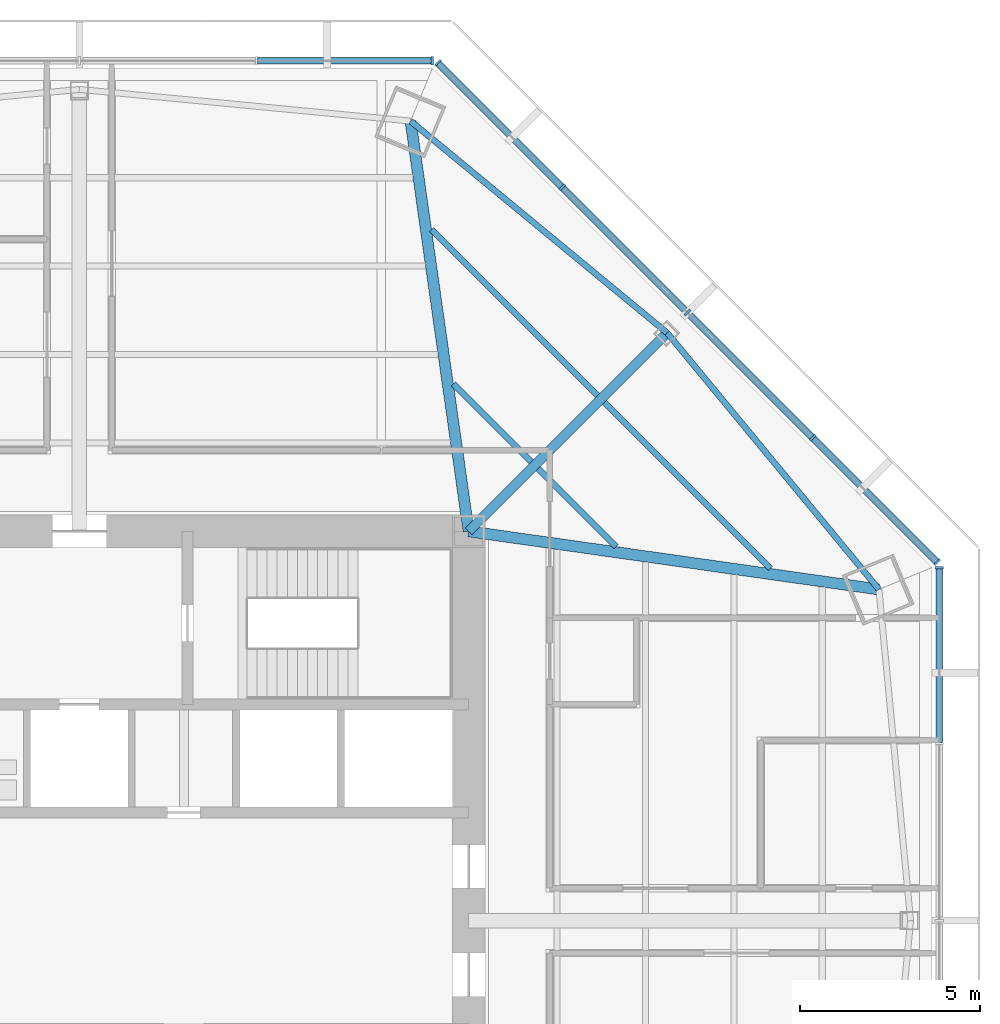
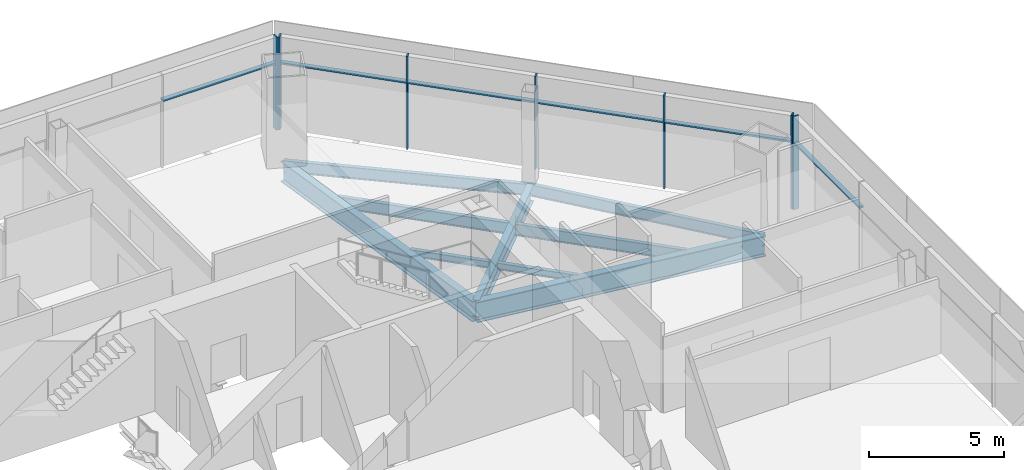
# One storey, part 6 of 14: 13 members, 9 beams, 3 elements without a shape of their own.
"""IFC4 building model written with IfcOpenShell, lengths in metres."""

from ifc_helpers import new_model, si_unit, direction, frame, origin, origin_2d, place, context, subcontext, project, spatial, rectangle, i_section, extrude, source, transform, mapped, material, material_profile, profile_set, type_object, type_shapes, element, aggregate, save


model = new_model("IFC4")

# Units and contexts
model_context = context("Model", 3, precision=1e-05, world=origin(), true_north=direction((0.0, 1.0)))
body_context = subcontext(model_context, "Body", "Model", "MODEL_VIEW")
ifc_project = project(units=[si_unit("LENGTHUNIT", "METRE"), si_unit("AREAUNIT", "SQUARE_METRE"), si_unit("VOLUMEUNIT", "CUBIC_METRE"), si_unit("PLANEANGLEUNIT", "RADIAN"), si_unit("MASSUNIT", "GRAM", prefix="KILO")], contexts=[model_context])

# Site, building, storey
site_placement = place(None, origin())
site = spatial("IfcSite", under=ifc_project, at=site_placement, CompositionType="ELEMENT")
building_placement = place(site_placement, origin())
building = spatial("IfcBuilding", under=site, at=building_placement, Name="Mashrafa Tower", CompositionType="ELEMENT")
storey_placement = place(building_placement, frame((0.0, 0.0, 147.0)))
storey = spatial("IfcBuildingStorey", under=building, at=storey_placement, Name="L33", CompositionType="ELEMENT", Elevation=147.0)

# Beams
ifc_material_1 = material(Name="Steel ASTM A992", Category="steel")
ifc_material_profile_1 = material_profile(ifc_material_1, i_section(OverallWidth=0.164794921875, OverallDepth=0.309814453125, WebThickness=0.005859375, FlangeThickness=0.009765625, FilletRadius=0.007568359375, at=origin_2d()), Name="W12X26")
ifc_profile_set_1 = profile_set([ifc_material_profile_1], Name="Steel ASTM A992")
beam_type_1 = type_object("IfcBeamType", Name="Beam W12X26", PredefinedType="BEAM", material=ifc_profile_set_1)
for number, where, z_axis, x_axis, name in (
    (1, (10.375244140625, 14.895751953125, -0.31982421875), (0.707106781187, -0.707106781187, 0.0), (0.707106781187, 0.707106781187, 0.0), "Floor beam L33 033"),
    (2, (12.729736328125, 12.541259765625, -0.31982421875), (0.707106781187, -0.707106781187, 0.0), (0.707106781187, 0.707106781187, 0.0), "Floor beam L33 036"),
):
    element("IfcBeam", number, at=place(storey_placement, frame(where, z_axis=z_axis, x_axis=x_axis)), inside=storey, type_object=beam_type_1, Name=name, PredefinedType="BEAM", context=body_context, shape_type="SweptSolid", body=[
        extrude(i_section(OverallWidth=0.164794921875, OverallDepth=0.309814453125, WebThickness=0.005859375, FlangeThickness=0.009765625, FilletRadius=0.007568359375, at=origin_2d()), origin(), (0.0, 0.0, 1.0), 3.063232421875),
    ])
ifc_material_2 = material(Name="Steel ASTM A992", Category="steel")
ifc_material_profile_2 = material_profile(ifc_material_2, i_section(OverallWidth=0.1650390625, OverallDepth=0.52587890625, WebThickness=0.0087890625, FlangeThickness=0.011474609375, FilletRadius=0.0126953125, at=origin_2d()), Name="W21X44")
ifc_profile_set_2 = profile_set([ifc_material_profile_2], Name="Steel ASTM A992")
beam_type_2 = type_object("IfcBeamType", Name="Beam W21X44", PredefinedType="BEAM", material=ifc_profile_set_2)
for number, where, z_axis, x_axis, name in (
    (3, (9.769775390625, 19.17236328125, -0.427978515625), (0.707106781187, -0.707106781187, 0.0), (0.707106781187, 0.707106781187, 0.0), "Floor beam L33 030"),
    (4, (14.5654296875, 14.376708984375, -0.427978515625), (0.707106781187, -0.707106781187, 0.0), (0.707106781187, 0.707106781187, 0.0), "Floor beam L33 040"),
):
    element("IfcBeam", number, at=place(storey_placement, frame(where, z_axis=z_axis, x_axis=x_axis)), inside=storey, type_object=beam_type_2, Name=name, PredefinedType="BEAM", context=body_context, shape_type="SweptSolid", body=[
        extrude(i_section(OverallWidth=0.1650390625, OverallDepth=0.52587890625, WebThickness=0.0087890625, FlangeThickness=0.011474609375, FilletRadius=0.0126953125, at=origin_2d()), origin(), (0.0, 0.0, 1.0), 6.51513671875),
    ])
for number, where, z_axis, x_axis, name in (
    (5, (16.306640625, 16.306640625, -0.427978515625), (-0.771174586036, 0.636623717633, 0.0), (-0.636623717633, -0.771174586036, 0.0), "Spandrel beam L33 077"),
    (6, (22.182861328125, 9.1884765625, -0.427978515625), (-0.636623717633, 0.771174586036, 0.0), (-0.771174586036, -0.636623717633, 0.0), "Spandrel beam L33 079"),
):
    element("IfcBeam", number, at=place(storey_placement, frame(where, z_axis=z_axis, x_axis=x_axis)), inside=storey, type_object=beam_type_2, Name=name, PredefinedType="BEAM", context=body_context, shape_type="SweptSolid", body=[
        extrude(i_section(OverallWidth=0.1650390625, OverallDepth=0.52587890625, WebThickness=0.0087890625, FlangeThickness=0.011474609375, FilletRadius=0.0126953125, at=origin_2d()), origin(), (0.0, 0.0, 1.0), 9.230224609375),
    ])
ifc_material_3 = material(Name="Steel ASTM A992", Category="steel")
ifc_material_profile_3 = material_profile(ifc_material_3, i_section(OverallWidth=0.2666015625, OverallDepth=0.761962890625, WebThickness=0.014404296875, FlangeThickness=0.021484375, FilletRadius=0.0166015625, at=origin_2d()), Name="W30X116")
ifc_profile_set_3 = profile_set([ifc_material_profile_3], Name="Steel ASTM A992")
beam_type_3 = type_object("IfcBeamType", Name="Beam W30X116", PredefinedType="BEAM", material=ifc_profile_set_3)
beam_placement = place(storey_placement, frame((10.800048828125, 10.800048828125, -0.5458984375), z_axis=(0.707106781187, 0.707106781187, 0.0), x_axis=(-0.707106781187, 0.707106781187, 0.0)))
element("IfcBeam", 7, at=beam_placement, inside=storey, type_object=beam_type_3, Name="Radial girder L33 063", PredefinedType="BEAM", context=body_context, shape_type="SweptSolid", body=[
    extrude(i_section(OverallWidth=0.2666015625, OverallDepth=0.761962890625, WebThickness=0.014404296875, FlangeThickness=0.021484375, FilletRadius=0.0166015625, at=origin_2d()), origin(), (0.0, 0.0, 1.0), 7.78759765625),
])
ifc_material_4 = material(Name="Steel ASTM A992", Category="steel")
ifc_material_profile_4 = material_profile(ifc_material_4, i_section(OverallWidth=0.307373046875, OverallDepth=0.927001953125, WebThickness=0.01953125, FlangeThickness=0.031982421875, FilletRadius=0.01904296875, at=origin_2d()), Name="W36X194")
ifc_profile_set_4 = profile_set([ifc_material_profile_4], Name="Steel ASTM A992")
beam_type_4 = type_object("IfcBeamType", Name="Beam W36X194", PredefinedType="BEAM", material=ifc_profile_set_4)
for number, where, z_axis, x_axis, name in (
    (8, (10.800048828125, 10.800048828125, -0.628662109375), (-0.140181464407, 0.990125828891, 0.0), (-0.990125828891, -0.140181464407, 0.0), "Radial girder L33 062"),
    (9, (10.800048828125, 10.800048828125, -0.628662109375), (0.990125828891, -0.140181464407, 0.0), (0.140181464407, 0.990125828891, 0.0), "Radial girder L33 064"),
):
    element("IfcBeam", number, at=place(storey_placement, frame(where, z_axis=z_axis, x_axis=x_axis)), inside=storey, type_object=beam_type_4, Name=name, PredefinedType="BEAM", context=body_context, shape_type="SweptSolid", body=[
        extrude(i_section(OverallWidth=0.307373046875, OverallDepth=0.927001953125, WebThickness=0.01953125, FlangeThickness=0.031982421875, FilletRadius=0.01904296875, at=origin_2d()), origin(), (0.0, 0.0, 1.0), 11.496337890625),
    ])

# Curtain wall, member
ifc_material_5 = material(Name="Unitised aluminium curtain wall", Category="aluminium")
curtain_wall_type = type_object("IfcCurtainWallType", Name="Office curtain wall, zone 2 CW-B 225 deep", PredefinedType="NOTDEFINED", material=ifc_material_5)
curtain_wall_1_placement = place(storey_placement, origin())
curtain_wall_1 = element("IfcCurtainWall", 10, at=curtain_wall_1_placement, inside=storey, type_object=curtain_wall_type, Name="Office curtain wall, zone 2 L33 east", PredefinedType="NOTDEFINED")
ifc_material_6 = material(Name="Extruded aluminium mullion", Category="aluminium")
ifc_material_profile_5 = material_profile(ifc_material_6, rectangle(XDim=0.22509765625, YDim=0.06494140625, at=origin_2d()), Name="Mullion 65x225")
ifc_profile_set_5 = profile_set([ifc_material_profile_5], Name="Extruded aluminium mullion")
member_type_1 = type_object("IfcMemberType", Name="Mullion CW-B 65 x 225", PredefinedType="MULLION", material=ifc_profile_set_5)
shared_shape_1 = source(origin(), body_context, "Body", "SweptSolid", [
    extrude(rectangle(XDim=0.22509765625, YDim=0.06494140625, at=origin_2d()), origin(), (0.0, 0.0, 1.0), 4.199951171875),
])
type_shapes(member_type_1, [shared_shape_1])
member_1_placement = place(storey_placement, frame((23.856201171875, 9.79248046875, 0.0), z_axis=(0.0, 0.0, 1.0), x_axis=(-1.0, 0.0, 0.0)))
member_1 = element("IfcMember", 11, at=member_1_placement, type_object=member_type_1, Name="CW-B mullion 5", PredefinedType="MULLION", context=body_context, shape_type="MappedRepresentation", body=[
    mapped(shared_shape_1, transform((0.0, 0.0, 0.0))),
])

# Curtain wall, members
curtain_wall_2_placement = place(storey_placement, origin())
curtain_wall_2 = element("IfcCurtainWall", 12, at=curtain_wall_2_placement, inside=storey, type_object=curtain_wall_type, Name="Office curtain wall, zone 2 L33 north-east", PredefinedType="NOTDEFINED")
member_2_placement = place(storey_placement, frame((23.793212890625, 9.944580078125, 0.0), z_axis=(0.0, 0.0, 1.0), x_axis=(-0.707106781187, -0.707106781187, 0.0)))
member_2 = element("IfcMember", 13, at=member_2_placement, type_object=member_type_1, Name="CW-B mullion 1", PredefinedType="MULLION", context=body_context, shape_type="MappedRepresentation", body=[
    mapped(shared_shape_1, transform((0.0, 0.0, 0.0))),
])
member_3_placement = place(storey_placement, frame((20.342529296875, 13.395263671875, 0.0), z_axis=(0.0, 0.0, 1.0), x_axis=(-0.707106781187, -0.707106781187, 0.0)))
member_3 = element("IfcMember", 14, at=member_3_placement, type_object=member_type_1, Name="CW-B mullion 2", PredefinedType="MULLION", context=body_context, shape_type="MappedRepresentation", body=[
    mapped(shared_shape_1, transform((0.0, 0.0, 0.0))),
])
member_4_placement = place(storey_placement, frame((16.868896484375, 16.868896484375, 0.0), z_axis=(0.0, 0.0, 1.0), x_axis=(-0.707106781187, -0.707106781187, 0.0)))
member_4 = element("IfcMember", 15, at=member_4_placement, type_object=member_type_1, Name="CW-B mullion 3", PredefinedType="MULLION", context=body_context, shape_type="MappedRepresentation", body=[
    mapped(shared_shape_1, transform((0.0, 0.0, 0.0))),
])
member_5_placement = place(storey_placement, frame((13.395263671875, 20.342529296875, 0.0), z_axis=(0.0, 0.0, 1.0), x_axis=(-0.707106781187, -0.707106781187, 0.0)))
member_5 = element("IfcMember", 16, at=member_5_placement, type_object=member_type_1, Name="CW-B mullion 4", PredefinedType="MULLION", context=body_context, shape_type="MappedRepresentation", body=[
    mapped(shared_shape_1, transform((0.0, 0.0, 0.0))),
])
member_6_placement = place(storey_placement, frame((9.944580078125, 23.793212890625, 0.0), z_axis=(0.0, 0.0, 1.0), x_axis=(-0.707106781187, -0.707106781187, 0.0)))
member_6 = element("IfcMember", 17, at=member_6_placement, type_object=member_type_1, Name="CW-B mullion 5", PredefinedType="MULLION", context=body_context, shape_type="MappedRepresentation", body=[
    mapped(shared_shape_1, transform((0.0, 0.0, 0.0))),
])

# Curtain wall, member
curtain_wall_3_placement = place(storey_placement, origin())
curtain_wall_3 = element("IfcCurtainWall", 18, at=curtain_wall_3_placement, inside=storey, type_object=curtain_wall_type, Name="Office curtain wall, zone 2 L33 north", PredefinedType="NOTDEFINED")
member_7_placement = place(storey_placement, frame((9.79248046875, 23.856201171875, 0.0), z_axis=(0.0, 0.0, 1.0), x_axis=(0.0, -1.0, 0.0)))
member_7 = element("IfcMember", 19, at=member_7_placement, type_object=member_type_1, Name="CW-B mullion 1", PredefinedType="MULLION", context=body_context, shape_type="MappedRepresentation", body=[
    mapped(shared_shape_1, transform((0.0, 0.0, 0.0))),
])

# Member
ifc_material_7 = material(Name="Extruded aluminium transom", Category="aluminium")
ifc_material_profile_6 = material_profile(ifc_material_7, rectangle(XDim=0.179931640625, YDim=0.080078125, at=origin_2d()), Name="Transom 80x180")
ifc_profile_set_6 = profile_set([ifc_material_profile_6], Name="Extruded aluminium transom")
member_type_2 = type_object("IfcMemberType", Name="Transom CW-B 80 x 180", PredefinedType="MULLION", material=ifc_profile_set_6)
shared_shape_2 = source(origin(), body_context, "Body", "SweptSolid", [
    extrude(rectangle(XDim=0.179931640625, YDim=0.080078125, at=origin_2d()), origin(), (0.0, 0.0, 1.0), 4.81494140625),
])
member_8_placement = place(storey_placement, frame((23.856201171875, 4.945068359375, 3.0), z_axis=(0.0, 1.0, 0.0), x_axis=(-1.0, 0.0, 0.0)))
member_8 = element("IfcMember", 20, at=member_8_placement, type_object=member_type_2, Name="CW-B transom 4", PredefinedType="MULLION", context=body_context, shape_type="MappedRepresentation", body=[
    mapped(shared_shape_2, transform((0.0, 0.0, 0.0))),
])

aggregate(curtain_wall_1, [member_1, member_8])

member_9_placement = place(storey_placement, frame((9.760009765625, 23.856201171875, 3.0), z_axis=(-1.0, 0.0, 0.0), x_axis=(0.0, -1.0, 0.0)))
member_9 = element("IfcMember", 21, at=member_9_placement, type_object=member_type_2, Name="CW-B transom 1", PredefinedType="MULLION", context=body_context, shape_type="MappedRepresentation", body=[
    mapped(shared_shape_2, transform((0.0, 0.0, 0.0))),
])

aggregate(curtain_wall_3, [member_7, member_9])

shared_shape_3 = source(origin(), body_context, "Body", "SweptSolid", [
    extrude(rectangle(XDim=0.179931640625, YDim=0.080078125, at=origin_2d()), origin(), (0.0, 0.0, 1.0), 4.815185546875),
])
member_10_placement = place(storey_placement, frame((23.770263671875, 9.967529296875, 3.0), z_axis=(-0.707106781187, 0.707106781187, 0.0), x_axis=(-0.707106781187, -0.707106781187, 0.0)))
member_10 = element("IfcMember", 22, at=member_10_placement, type_object=member_type_2, Name="CW-B transom 1", PredefinedType="MULLION", context=body_context, shape_type="MappedRepresentation", body=[
    mapped(shared_shape_3, transform((0.0, 0.0, 0.0))),
])

member_11_placement = place(storey_placement, frame((13.372314453125, 20.365478515625, 3.0), z_axis=(-0.707106781187, 0.707106781187, 0.0), x_axis=(-0.707106781187, -0.707106781187, 0.0)))
member_11 = element("IfcMember", 23, at=member_11_placement, type_object=member_type_2, Name="CW-B transom 4", PredefinedType="MULLION", context=body_context, shape_type="MappedRepresentation", body=[
    mapped(shared_shape_3, transform((0.0, 0.0, 0.0))),
])

shared_shape_4 = source(origin(), body_context, "Body", "SweptSolid", [
    extrude(rectangle(XDim=0.179931640625, YDim=0.080078125, at=origin_2d()), origin(), (0.0, 0.0, 1.0), 4.84765625),
])
type_shapes(member_type_2, [shared_shape_2, shared_shape_3, shared_shape_4])
member_12_placement = place(storey_placement, frame((20.319580078125, 13.418212890625, 3.0), z_axis=(-0.707106781187, 0.707106781187, 0.0), x_axis=(-0.707106781187, -0.707106781187, 0.0)))
member_12 = element("IfcMember", 24, at=member_12_placement, type_object=member_type_2, Name="CW-B transom 2", PredefinedType="MULLION", context=body_context, shape_type="MappedRepresentation", body=[
    mapped(shared_shape_4, transform((0.0, 0.0, 0.0))),
])

member_13_placement = place(storey_placement, frame((16.845947265625, 16.891845703125, 3.0), z_axis=(-0.707106781187, 0.707106781187, 0.0), x_axis=(-0.707106781187, -0.707106781187, 0.0)))
member_13 = element("IfcMember", 25, at=member_13_placement, type_object=member_type_2, Name="CW-B transom 3", PredefinedType="MULLION", context=body_context, shape_type="MappedRepresentation", body=[
    mapped(shared_shape_4, transform((0.0, 0.0, 0.0))),
])

aggregate(curtain_wall_2, [member_2, member_3, member_4, member_5, member_6, member_10, member_12, member_13, member_11])

save(model, "model.ifc")
